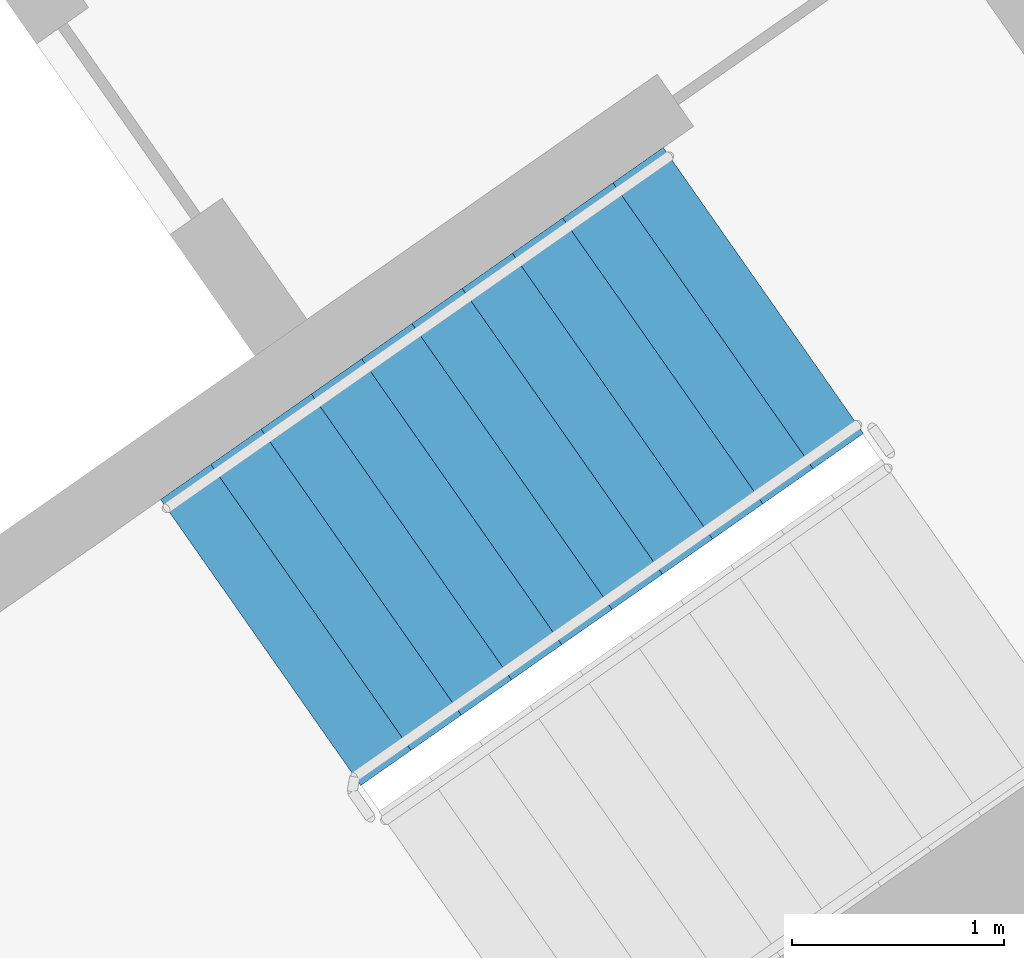
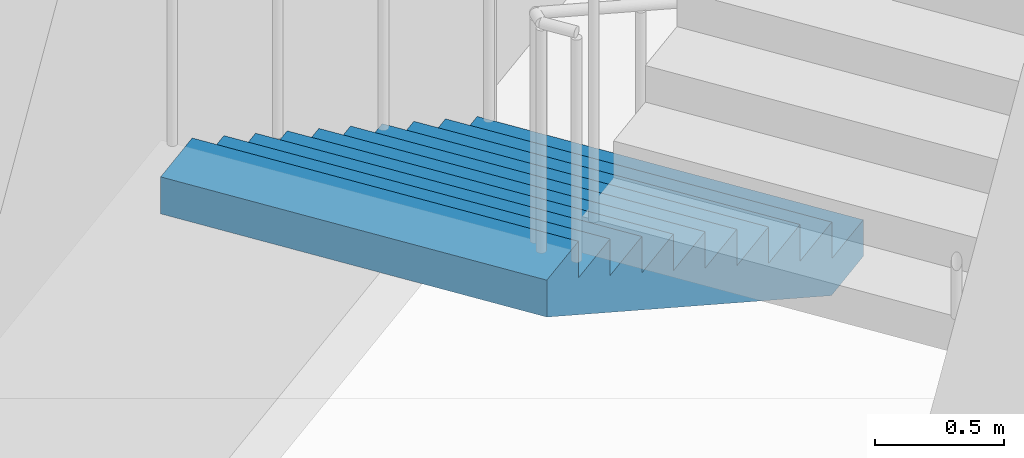
# One storey, part 17 of 33: 1 stair flight, 1 element without a shape of its own.
"""IFC4 building model written with IfcOpenShell, lengths in metres."""

from ifc_helpers import new_model, si_unit, direction, frame, origin, place, context, subcontext, project, spatial, faceted_brep, material, type_object, element, aggregate, save


model = new_model("IFC4")

# Units and contexts
model_context = context("Model", 3, precision=1e-05, world=origin(), true_north=direction((0.0, 1.0)))
body_context = subcontext(model_context, "Body", "Model", "MODEL_VIEW")
ifc_project = project(units=[si_unit("LENGTHUNIT", "METRE"), si_unit("AREAUNIT", "SQUARE_METRE"), si_unit("VOLUMEUNIT", "CUBIC_METRE"), si_unit("PLANEANGLEUNIT", "RADIAN"), si_unit("MASSUNIT", "GRAM", prefix="KILO")], contexts=[model_context])

# Site, building, storey
site_placement = place(None, origin())
site = spatial("IfcSite", under=ifc_project, at=site_placement, CompositionType="ELEMENT")
building_placement = place(site_placement, origin())
building = spatial("IfcBuilding", under=site, at=building_placement, Name="Qamariyya Broadcast Tower", CompositionType="ELEMENT")
storey_placement = place(building_placement, frame((0.0, 0.0, 94.89990234375)))
storey = spatial("IfcBuildingStorey", under=building, at=storey_placement, Name="L20", CompositionType="ELEMENT", Elevation=94.89990234375)

# Stair, stair flight
ifc_material = material(Name="Concrete C50/60", Category="concrete")
stair_type = type_object("IfcStairType", Name="Exit stair 22 risers of 173 mm", PredefinedType="HALF_TURN_STAIR", material=ifc_material)
stair_placement = place(storey_placement, origin())
stair = element("IfcStair", 1, at=stair_placement, inside=storey, type_object=stair_type, Name="L20 Stair E1", PredefinedType="HALF_TURN_STAIR")
stair_flight_type = type_object("IfcStairFlightType", Name="Exit stair flight 11 risers of 173 mm", PredefinedType="STRAIGHT", material=ifc_material)
stair_flight_placement = place(storey_placement, frame((46.036376953125, -55.508056640625, 0.0), z_axis=(0.0, 0.0, 1.0), x_axis=(-0.819152044289, -0.573576436351, 0.0)))
stair_flight = element("IfcStairFlight", 2, at=stair_flight_placement, type_object=stair_flight_type, Name="ST-E1 flight 1", NumberOfRisers=11, NumberOfTreads=10, PredefinedType="STRAIGHT", RiserHeight=0.172727273, TreadLength=0.29, context=body_context, shape_type="Brep", body=[
    faceted_brep([(0.0, 0.824951171875, 0.0), (0.0, 0.824951171875, 0.172607421875), (0.2900390625, 0.824951171875, 0.172607421875), (0.2900390625, 0.824951171875, 0.345458984375), (0.580078125, 0.824951171875, 0.345458984375), (0.580078125, 0.824951171875, 0.51806640625), (0.8701171875, 0.824951171875, 0.51806640625), (0.8701171875, 0.824951171875, 0.69091796875), (1.159912109375, 0.824951171875, 0.69091796875), (1.159912109375, 0.824951171875, 0.863525390625), (1.449951171875, 0.824951171875, 0.863525390625), (1.449951171875, 0.824951171875, 1.036376953125), (1.739990234375, 0.824951171875, 1.036376953125), (1.739990234375, 0.824951171875, 1.208984375), (2.030029296875, 0.824951171875, 1.208984375), (2.030029296875, 0.824951171875, 1.3818359375), (2.320068359375, 0.824951171875, 1.3818359375), (2.320068359375, 0.824951171875, 1.554443359375), (2.610107421875, 0.824951171875, 1.554443359375), (2.610107421875, 0.824951171875, 1.727294921875), (2.89990234375, 0.824951171875, 1.727294921875), (2.89990234375, 0.824951171875, 1.552734375), (0.29296875, 0.824951171875, 0.0), (0.29296875, -0.824951171875, 0.0), (2.89990234375, -0.824951171875, 1.552734375), (2.89990234375, -0.824951171875, 1.727294921875), (2.610107421875, -0.824951171875, 1.727294921875), (2.610107421875, -0.824951171875, 1.554443359375), (2.320068359375, -0.824951171875, 1.554443359375), (2.320068359375, -0.824951171875, 1.3818359375), (2.030029296875, -0.824951171875, 1.3818359375), (2.030029296875, -0.824951171875, 1.208984375), (1.739990234375, -0.824951171875, 1.208984375), (1.739990234375, -0.824951171875, 1.036376953125), (1.449951171875, -0.824951171875, 1.036376953125), (1.449951171875, -0.824951171875, 0.863525390625), (1.159912109375, -0.824951171875, 0.863525390625), (1.159912109375, -0.824951171875, 0.69091796875), (0.8701171875, -0.824951171875, 0.69091796875), (0.8701171875, -0.824951171875, 0.51806640625), (0.580078125, -0.824951171875, 0.51806640625), (0.580078125, -0.824951171875, 0.345458984375), (0.2900390625, -0.824951171875, 0.345458984375), (0.2900390625, -0.824951171875, 0.172607421875), (0.0, -0.824951171875, 0.172607421875), (0.0, -0.824951171875, 0.0), (0.0, 0.10009765625, 0.0), (0.0, 0.086669921875, 0.0), (0.0, 0.0732421875, 0.0), (0.0, 0.06005859375, 0.0), (0.0, 0.046630859375, 0.0), (0.0, 0.033447265625, 0.0), (0.0, 0.02001953125, 0.0), (0.0, 0.006591796875, 0.0), (0.0, -0.006591796875, 0.0), (0.0, -0.02001953125, 0.0), (0.0, -0.033447265625, 0.0), (0.0, -0.046630859375, 0.0), (0.0, -0.06005859375, 0.0), (0.0, -0.0732421875, 0.0), (0.0, -0.086669921875, 0.0), (0.0, -0.10009765625, 0.0), (0.0, -0.10009765625, 0.172607421875), (0.0, -0.086669921875, 0.172607421875), (0.0, -0.0732421875, 0.172607421875), (0.0, -0.06005859375, 0.172607421875), (0.0, -0.046630859375, 0.172607421875), (0.0, -0.033447265625, 0.172607421875), (0.0, -0.02001953125, 0.172607421875), (0.0, -0.006591796875, 0.172607421875), (0.0, 0.006591796875, 0.172607421875), (0.0, 0.02001953125, 0.172607421875), (0.0, 0.033447265625, 0.172607421875), (0.0, 0.046630859375, 0.172607421875), (0.0, 0.06005859375, 0.172607421875), (0.0, 0.0732421875, 0.172607421875), (0.0, 0.086669921875, 0.172607421875), (0.0, 0.10009765625, 0.172607421875), (0.2900390625, -0.10009765625, 0.172607421875), (0.2900390625, -0.086669921875, 0.172607421875), (0.2900390625, -0.0732421875, 0.172607421875), (0.2900390625, -0.06005859375, 0.172607421875), (0.2900390625, -0.046630859375, 0.172607421875), (0.2900390625, -0.033447265625, 0.172607421875), (0.2900390625, -0.02001953125, 0.172607421875), (0.2900390625, -0.006591796875, 0.172607421875), (0.2900390625, 0.006591796875, 0.172607421875), (0.2900390625, 0.02001953125, 0.172607421875), (0.2900390625, 0.033447265625, 0.172607421875), (0.2900390625, 0.046630859375, 0.172607421875), (0.2900390625, 0.06005859375, 0.172607421875), (0.2900390625, 0.0732421875, 0.172607421875), (0.2900390625, 0.086669921875, 0.172607421875), (0.2900390625, 0.10009765625, 0.172607421875), (0.2900390625, -0.10009765625, 0.345458984375), (0.2900390625, -0.086669921875, 0.345458984375), (0.2900390625, -0.0732421875, 0.345458984375), (0.2900390625, -0.06005859375, 0.345458984375), (0.2900390625, -0.046630859375, 0.345458984375), (0.2900390625, -0.033447265625, 0.345458984375), (0.2900390625, -0.02001953125, 0.345458984375), (0.2900390625, -0.006591796875, 0.345458984375), (0.2900390625, 0.006591796875, 0.345458984375), (0.2900390625, 0.02001953125, 0.345458984375), (0.2900390625, 0.033447265625, 0.345458984375), (0.2900390625, 0.046630859375, 0.345458984375), (0.2900390625, 0.06005859375, 0.345458984375), (0.2900390625, 0.0732421875, 0.345458984375), (0.2900390625, 0.086669921875, 0.345458984375), (0.2900390625, 0.10009765625, 0.345458984375), (0.580078125, -0.10009765625, 0.345458984375), (0.580078125, -0.086669921875, 0.345458984375), (0.580078125, -0.0732421875, 0.345458984375), (0.580078125, -0.06005859375, 0.345458984375), (0.580078125, -0.046630859375, 0.345458984375), (0.580078125, -0.033447265625, 0.345458984375), (0.580078125, -0.02001953125, 0.345458984375), (0.580078125, -0.006591796875, 0.345458984375), (0.580078125, 0.006591796875, 0.345458984375), (0.580078125, 0.02001953125, 0.345458984375), (0.580078125, 0.033447265625, 0.345458984375), (0.580078125, 0.046630859375, 0.345458984375), (0.580078125, 0.06005859375, 0.345458984375), (0.580078125, 0.0732421875, 0.345458984375), (0.580078125, 0.086669921875, 0.345458984375), (0.580078125, 0.10009765625, 0.345458984375), (0.580078125, -0.10009765625, 0.51806640625), (0.580078125, -0.086669921875, 0.51806640625), (0.580078125, -0.0732421875, 0.51806640625), (0.580078125, -0.06005859375, 0.51806640625), (0.580078125, -0.046630859375, 0.51806640625), (0.580078125, -0.033447265625, 0.51806640625), (0.580078125, -0.02001953125, 0.51806640625), (0.580078125, -0.006591796875, 0.51806640625), (0.580078125, 0.006591796875, 0.51806640625), (0.580078125, 0.02001953125, 0.51806640625), (0.580078125, 0.033447265625, 0.51806640625), (0.580078125, 0.046630859375, 0.51806640625), (0.580078125, 0.06005859375, 0.51806640625), (0.580078125, 0.0732421875, 0.51806640625), (0.580078125, 0.086669921875, 0.51806640625), (0.580078125, 0.10009765625, 0.51806640625), (0.8701171875, -0.10009765625, 0.51806640625), (0.8701171875, -0.086669921875, 0.51806640625), (0.8701171875, -0.0732421875, 0.51806640625), (0.8701171875, -0.06005859375, 0.51806640625), (0.8701171875, -0.046630859375, 0.51806640625), (0.8701171875, -0.033447265625, 0.51806640625), (0.8701171875, -0.02001953125, 0.51806640625), (0.8701171875, -0.006591796875, 0.51806640625), (0.8701171875, 0.006591796875, 0.51806640625), (0.8701171875, 0.02001953125, 0.51806640625), (0.8701171875, 0.033447265625, 0.51806640625), (0.8701171875, 0.046630859375, 0.51806640625), (0.8701171875, 0.06005859375, 0.51806640625), (0.8701171875, 0.0732421875, 0.51806640625), (0.8701171875, 0.086669921875, 0.51806640625), (0.8701171875, 0.10009765625, 0.51806640625), (0.8701171875, -0.10009765625, 0.69091796875), (0.8701171875, -0.086669921875, 0.69091796875), (0.8701171875, -0.0732421875, 0.69091796875), (0.8701171875, -0.06005859375, 0.69091796875), (0.8701171875, -0.046630859375, 0.69091796875), (0.8701171875, -0.033447265625, 0.69091796875), (0.8701171875, -0.02001953125, 0.69091796875), (0.8701171875, -0.006591796875, 0.69091796875), (0.8701171875, 0.006591796875, 0.69091796875), (0.8701171875, 0.02001953125, 0.69091796875), (0.8701171875, 0.033447265625, 0.69091796875), (0.8701171875, 0.046630859375, 0.69091796875), (0.8701171875, 0.06005859375, 0.69091796875), (0.8701171875, 0.0732421875, 0.69091796875), (0.8701171875, 0.086669921875, 0.69091796875), (0.8701171875, 0.10009765625, 0.69091796875), (1.159912109375, -0.10009765625, 0.69091796875), (1.159912109375, -0.086669921875, 0.69091796875), (1.159912109375, -0.0732421875, 0.69091796875), (1.159912109375, -0.06005859375, 0.69091796875), (1.159912109375, -0.046630859375, 0.69091796875), (1.159912109375, -0.033447265625, 0.69091796875), (1.159912109375, -0.02001953125, 0.69091796875), (1.159912109375, -0.006591796875, 0.69091796875), (1.159912109375, 0.006591796875, 0.69091796875), (1.159912109375, 0.02001953125, 0.69091796875), (1.159912109375, 0.033447265625, 0.69091796875), (1.159912109375, 0.046630859375, 0.69091796875), (1.159912109375, 0.06005859375, 0.69091796875), (1.159912109375, 0.0732421875, 0.69091796875), (1.159912109375, 0.086669921875, 0.69091796875), (1.159912109375, 0.10009765625, 0.69091796875), (1.159912109375, -0.10009765625, 0.863525390625), (1.159912109375, -0.086669921875, 0.863525390625), (1.159912109375, -0.0732421875, 0.863525390625), (1.159912109375, -0.06005859375, 0.863525390625), (1.159912109375, -0.046630859375, 0.863525390625), (1.159912109375, -0.033447265625, 0.863525390625), (1.159912109375, -0.02001953125, 0.863525390625), (1.159912109375, -0.006591796875, 0.863525390625), (1.159912109375, 0.006591796875, 0.863525390625), (1.159912109375, 0.02001953125, 0.863525390625), (1.159912109375, 0.033447265625, 0.863525390625), (1.159912109375, 0.046630859375, 0.863525390625), (1.159912109375, 0.06005859375, 0.863525390625), (1.159912109375, 0.0732421875, 0.863525390625), (1.159912109375, 0.086669921875, 0.863525390625), (1.159912109375, 0.10009765625, 0.863525390625), (1.449951171875, -0.10009765625, 0.863525390625), (1.449951171875, -0.086669921875, 0.863525390625), (1.449951171875, -0.0732421875, 0.863525390625), (1.449951171875, -0.06005859375, 0.863525390625), (1.449951171875, -0.046630859375, 0.863525390625), (1.449951171875, -0.033447265625, 0.863525390625), (1.449951171875, -0.02001953125, 0.863525390625), (1.449951171875, -0.006591796875, 0.863525390625), (1.449951171875, 0.006591796875, 0.863525390625), (1.449951171875, 0.02001953125, 0.863525390625), (1.449951171875, 0.033447265625, 0.863525390625), (1.449951171875, 0.046630859375, 0.863525390625), (1.449951171875, 0.06005859375, 0.863525390625), (1.449951171875, 0.0732421875, 0.863525390625), (1.449951171875, 0.086669921875, 0.863525390625), (1.449951171875, 0.10009765625, 0.863525390625), (1.449951171875, -0.10009765625, 1.036376953125), (1.449951171875, -0.086669921875, 1.036376953125), (1.449951171875, -0.0732421875, 1.036376953125), (1.449951171875, -0.06005859375, 1.036376953125), (1.449951171875, -0.046630859375, 1.036376953125), (1.449951171875, -0.033447265625, 1.036376953125), (1.449951171875, -0.02001953125, 1.036376953125), (1.449951171875, -0.006591796875, 1.036376953125), (1.449951171875, 0.006591796875, 1.036376953125), (1.449951171875, 0.02001953125, 1.036376953125), (1.449951171875, 0.033447265625, 1.036376953125), (1.449951171875, 0.046630859375, 1.036376953125), (1.449951171875, 0.06005859375, 1.036376953125), (1.449951171875, 0.0732421875, 1.036376953125), (1.449951171875, 0.086669921875, 1.036376953125), (1.449951171875, 0.10009765625, 1.036376953125), (1.739990234375, -0.10009765625, 1.036376953125), (1.739990234375, -0.086669921875, 1.036376953125), (1.739990234375, -0.0732421875, 1.036376953125), (1.739990234375, -0.06005859375, 1.036376953125), (1.739990234375, -0.046630859375, 1.036376953125), (1.739990234375, -0.033447265625, 1.036376953125), (1.739990234375, -0.02001953125, 1.036376953125), (1.739990234375, -0.006591796875, 1.036376953125), (1.739990234375, 0.006591796875, 1.036376953125), (1.739990234375, 0.02001953125, 1.036376953125), (1.739990234375, 0.033447265625, 1.036376953125), (1.739990234375, 0.046630859375, 1.036376953125), (1.739990234375, 0.06005859375, 1.036376953125), (1.739990234375, 0.0732421875, 1.036376953125), (1.739990234375, 0.086669921875, 1.036376953125), (1.739990234375, 0.10009765625, 1.036376953125), (1.739990234375, -0.10009765625, 1.208984375), (1.739990234375, -0.086669921875, 1.208984375), (1.739990234375, -0.0732421875, 1.208984375), (1.739990234375, -0.06005859375, 1.208984375), (1.739990234375, -0.046630859375, 1.208984375), (1.739990234375, -0.033447265625, 1.208984375), (1.739990234375, -0.02001953125, 1.208984375), (1.739990234375, -0.006591796875, 1.208984375), (1.739990234375, 0.006591796875, 1.208984375), (1.739990234375, 0.02001953125, 1.208984375), (1.739990234375, 0.033447265625, 1.208984375), (1.739990234375, 0.046630859375, 1.208984375), (1.739990234375, 0.06005859375, 1.208984375), (1.739990234375, 0.0732421875, 1.208984375), (1.739990234375, 0.086669921875, 1.208984375), (1.739990234375, 0.10009765625, 1.208984375), (2.030029296875, -0.10009765625, 1.208984375), (2.030029296875, -0.086669921875, 1.208984375), (2.030029296875, -0.0732421875, 1.208984375), (2.030029296875, -0.06005859375, 1.208984375), (2.030029296875, -0.046630859375, 1.208984375), (2.030029296875, -0.033447265625, 1.208984375), (2.030029296875, -0.02001953125, 1.208984375), (2.030029296875, -0.006591796875, 1.208984375), (2.030029296875, 0.006591796875, 1.208984375), (2.030029296875, 0.02001953125, 1.208984375), (2.030029296875, 0.033447265625, 1.208984375), (2.030029296875, 0.046630859375, 1.208984375), (2.030029296875, 0.06005859375, 1.208984375), (2.030029296875, 0.0732421875, 1.208984375), (2.030029296875, 0.086669921875, 1.208984375), (2.030029296875, 0.10009765625, 1.208984375), (2.030029296875, -0.10009765625, 1.3818359375), (2.030029296875, -0.086669921875, 1.3818359375), (2.030029296875, -0.0732421875, 1.3818359375), (2.030029296875, -0.06005859375, 1.3818359375), (2.030029296875, -0.046630859375, 1.3818359375), (2.030029296875, -0.033447265625, 1.3818359375), (2.030029296875, -0.02001953125, 1.3818359375), (2.030029296875, -0.006591796875, 1.3818359375), (2.030029296875, 0.006591796875, 1.3818359375), (2.030029296875, 0.02001953125, 1.3818359375), (2.030029296875, 0.033447265625, 1.3818359375), (2.030029296875, 0.046630859375, 1.3818359375), (2.030029296875, 0.06005859375, 1.3818359375), (2.030029296875, 0.0732421875, 1.3818359375), (2.030029296875, 0.086669921875, 1.3818359375), (2.030029296875, 0.10009765625, 1.3818359375), (2.320068359375, -0.10009765625, 1.3818359375), (2.320068359375, -0.086669921875, 1.3818359375), (2.320068359375, -0.0732421875, 1.3818359375), (2.320068359375, -0.06005859375, 1.3818359375), (2.320068359375, -0.046630859375, 1.3818359375), (2.320068359375, -0.033447265625, 1.3818359375), (2.320068359375, -0.02001953125, 1.3818359375), (2.320068359375, -0.006591796875, 1.3818359375), (2.320068359375, 0.006591796875, 1.3818359375), (2.320068359375, 0.02001953125, 1.3818359375), (2.320068359375, 0.033447265625, 1.3818359375), (2.320068359375, 0.046630859375, 1.3818359375), (2.320068359375, 0.06005859375, 1.3818359375), (2.320068359375, 0.0732421875, 1.3818359375), (2.320068359375, 0.086669921875, 1.3818359375), (2.320068359375, 0.10009765625, 1.3818359375), (2.320068359375, -0.10009765625, 1.554443359375), (2.320068359375, -0.086669921875, 1.554443359375), (2.320068359375, -0.0732421875, 1.554443359375), (2.320068359375, -0.06005859375, 1.554443359375), (2.320068359375, -0.046630859375, 1.554443359375), (2.320068359375, -0.033447265625, 1.554443359375), (2.320068359375, -0.02001953125, 1.554443359375), (2.320068359375, -0.006591796875, 1.554443359375), (2.320068359375, 0.006591796875, 1.554443359375), (2.320068359375, 0.02001953125, 1.554443359375), (2.320068359375, 0.033447265625, 1.554443359375), (2.320068359375, 0.046630859375, 1.554443359375), (2.320068359375, 0.06005859375, 1.554443359375), (2.320068359375, 0.0732421875, 1.554443359375), (2.320068359375, 0.086669921875, 1.554443359375), (2.320068359375, 0.10009765625, 1.554443359375), (2.610107421875, -0.10009765625, 1.554443359375), (2.610107421875, -0.086669921875, 1.554443359375), (2.610107421875, -0.0732421875, 1.554443359375), (2.610107421875, -0.06005859375, 1.554443359375), (2.610107421875, -0.046630859375, 1.554443359375), (2.610107421875, -0.033447265625, 1.554443359375), (2.610107421875, -0.02001953125, 1.554443359375), (2.610107421875, -0.006591796875, 1.554443359375), (2.610107421875, 0.006591796875, 1.554443359375), (2.610107421875, 0.02001953125, 1.554443359375), (2.610107421875, 0.033447265625, 1.554443359375), (2.610107421875, 0.046630859375, 1.554443359375), (2.610107421875, 0.06005859375, 1.554443359375), (2.610107421875, 0.0732421875, 1.554443359375), (2.610107421875, 0.086669921875, 1.554443359375), (2.610107421875, 0.10009765625, 1.554443359375), (2.610107421875, -0.10009765625, 1.727294921875), (2.610107421875, -0.086669921875, 1.727294921875), (2.610107421875, -0.0732421875, 1.727294921875), (2.610107421875, -0.06005859375, 1.727294921875), (2.610107421875, -0.046630859375, 1.727294921875), (2.610107421875, -0.033447265625, 1.727294921875), (2.610107421875, -0.02001953125, 1.727294921875), (2.610107421875, -0.006591796875, 1.727294921875), (2.610107421875, 0.006591796875, 1.727294921875), (2.610107421875, 0.02001953125, 1.727294921875), (2.610107421875, 0.033447265625, 1.727294921875), (2.610107421875, 0.046630859375, 1.727294921875), (2.610107421875, 0.06005859375, 1.727294921875), (2.610107421875, 0.0732421875, 1.727294921875), (2.610107421875, 0.086669921875, 1.727294921875), (2.610107421875, 0.10009765625, 1.727294921875), (2.89990234375, -0.10009765625, 1.727294921875), (2.89990234375, -0.086669921875, 1.727294921875), (2.89990234375, -0.0732421875, 1.727294921875), (2.89990234375, -0.06005859375, 1.727294921875), (2.89990234375, -0.046630859375, 1.727294921875), (2.89990234375, -0.033447265625, 1.727294921875), (2.89990234375, -0.02001953125, 1.727294921875), (2.89990234375, -0.006591796875, 1.727294921875), (2.89990234375, 0.006591796875, 1.727294921875), (2.89990234375, 0.02001953125, 1.727294921875), (2.89990234375, 0.033447265625, 1.727294921875), (2.89990234375, 0.046630859375, 1.727294921875), (2.89990234375, 0.06005859375, 1.727294921875), (2.89990234375, 0.0732421875, 1.727294921875), (2.89990234375, 0.086669921875, 1.727294921875), (2.89990234375, 0.10009765625, 1.727294921875), (2.89990234375, -0.10009765625, 1.552734375), (2.89990234375, -0.086669921875, 1.552734375), (2.89990234375, -0.0732421875, 1.552734375), (2.89990234375, -0.06005859375, 1.552734375), (2.89990234375, -0.046630859375, 1.552734375), (2.89990234375, -0.033447265625, 1.552734375), (2.89990234375, -0.02001953125, 1.552734375), (2.89990234375, -0.006591796875, 1.552734375), (2.89990234375, 0.006591796875, 1.552734375), (2.89990234375, 0.02001953125, 1.552734375), (2.89990234375, 0.033447265625, 1.552734375), (2.89990234375, 0.046630859375, 1.552734375), (2.89990234375, 0.06005859375, 1.552734375), (2.89990234375, 0.0732421875, 1.552734375), (2.89990234375, 0.086669921875, 1.552734375), (2.89990234375, 0.10009765625, 1.552734375), (0.29296875, -0.10009765625, 0.0), (0.29296875, -0.086669921875, 0.0), (0.29296875, -0.0732421875, 0.0), (0.29296875, -0.06005859375, 0.0), (0.29296875, -0.046630859375, 0.0), (0.29296875, -0.033447265625, 0.0), (0.29296875, -0.02001953125, 0.0), (0.29296875, -0.006591796875, 0.0), (0.29296875, 0.006591796875, 0.0), (0.29296875, 0.02001953125, 0.0), (0.29296875, 0.033447265625, 0.0), (0.29296875, 0.046630859375, 0.0), (0.29296875, 0.06005859375, 0.0), (0.29296875, 0.0732421875, 0.0), (0.29296875, 0.086669921875, 0.0), (0.29296875, 0.10009765625, 0.0)], [[[0, 1, 2, 3, 4, 5, 6, 7, 8, 9, 10, 11, 12, 13, 14, 15, 16, 17, 18, 19, 20, 21, 22]], [[23, 24, 25, 26, 27, 28, 29, 30, 31, 32, 33, 34, 35, 36, 37, 38, 39, 40, 41, 42, 43, 44, 45]], [[0, 46, 47, 48, 49, 50, 51, 52, 53, 54, 55, 56, 57, 58, 59, 60, 61, 45, 44, 62, 63, 64, 65, 66, 67, 68, 69, 70, 71, 72, 73, 74, 75, 76, 77, 1]], [[1, 77, 76, 75, 74, 73, 72, 71, 70, 69, 68, 67, 66, 65, 64, 63, 62, 44, 43, 78, 79, 80, 81, 82, 83, 84, 85, 86, 87, 88, 89, 90, 91, 92, 93, 2]], [[2, 93, 92, 91, 90, 89, 88, 87, 86, 85, 84, 83, 82, 81, 80, 79, 78, 43, 42, 94, 95, 96, 97, 98, 99, 100, 101, 102, 103, 104, 105, 106, 107, 108, 109, 3]], [[3, 109, 108, 107, 106, 105, 104, 103, 102, 101, 100, 99, 98, 97, 96, 95, 94, 42, 41, 110, 111, 112, 113, 114, 115, 116, 117, 118, 119, 120, 121, 122, 123, 124, 125, 4]], [[4, 125, 124, 123, 122, 121, 120, 119, 118, 117, 116, 115, 114, 113, 112, 111, 110, 41, 40, 126, 127, 128, 129, 130, 131, 132, 133, 134, 135, 136, 137, 138, 139, 140, 141, 5]], [[5, 141, 140, 139, 138, 137, 136, 135, 134, 133, 132, 131, 130, 129, 128, 127, 126, 40, 39, 142, 143, 144, 145, 146, 147, 148, 149, 150, 151, 152, 153, 154, 155, 156, 157, 6]], [[6, 157, 156, 155, 154, 153, 152, 151, 150, 149, 148, 147, 146, 145, 144, 143, 142, 39, 38, 158, 159, 160, 161, 162, 163, 164, 165, 166, 167, 168, 169, 170, 171, 172, 173, 7]], [[7, 173, 172, 171, 170, 169, 168, 167, 166, 165, 164, 163, 162, 161, 160, 159, 158, 38, 37, 174, 175, 176, 177, 178, 179, 180, 181, 182, 183, 184, 185, 186, 187, 188, 189, 8]], [[8, 189, 188, 187, 186, 185, 184, 183, 182, 181, 180, 179, 178, 177, 176, 175, 174, 37, 36, 190, 191, 192, 193, 194, 195, 196, 197, 198, 199, 200, 201, 202, 203, 204, 205, 9]], [[9, 205, 204, 203, 202, 201, 200, 199, 198, 197, 196, 195, 194, 193, 192, 191, 190, 36, 35, 206, 207, 208, 209, 210, 211, 212, 213, 214, 215, 216, 217, 218, 219, 220, 221, 10]], [[10, 221, 220, 219, 218, 217, 216, 215, 214, 213, 212, 211, 210, 209, 208, 207, 206, 35, 34, 222, 223, 224, 225, 226, 227, 228, 229, 230, 231, 232, 233, 234, 235, 236, 237, 11]], [[11, 237, 236, 235, 234, 233, 232, 231, 230, 229, 228, 227, 226, 225, 224, 223, 222, 34, 33, 238, 239, 240, 241, 242, 243, 244, 245, 246, 247, 248, 249, 250, 251, 252, 253, 12]], [[12, 253, 252, 251, 250, 249, 248, 247, 246, 245, 244, 243, 242, 241, 240, 239, 238, 33, 32, 254, 255, 256, 257, 258, 259, 260, 261, 262, 263, 264, 265, 266, 267, 268, 269, 13]], [[13, 269, 268, 267, 266, 265, 264, 263, 262, 261, 260, 259, 258, 257, 256, 255, 254, 32, 31, 270, 271, 272, 273, 274, 275, 276, 277, 278, 279, 280, 281, 282, 283, 284, 285, 14]], [[14, 285, 284, 283, 282, 281, 280, 279, 278, 277, 276, 275, 274, 273, 272, 271, 270, 31, 30, 286, 287, 288, 289, 290, 291, 292, 293, 294, 295, 296, 297, 298, 299, 300, 301, 15]], [[15, 301, 300, 299, 298, 297, 296, 295, 294, 293, 292, 291, 290, 289, 288, 287, 286, 30, 29, 302, 303, 304, 305, 306, 307, 308, 309, 310, 311, 312, 313, 314, 315, 316, 317, 16]], [[16, 317, 316, 315, 314, 313, 312, 311, 310, 309, 308, 307, 306, 305, 304, 303, 302, 29, 28, 318, 319, 320, 321, 322, 323, 324, 325, 326, 327, 328, 329, 330, 331, 332, 333, 17]], [[17, 333, 332, 331, 330, 329, 328, 327, 326, 325, 324, 323, 322, 321, 320, 319, 318, 28, 27, 334, 335, 336, 337, 338, 339, 340, 341, 342, 343, 344, 345, 346, 347, 348, 349, 18]], [[18, 349, 348, 347, 346, 345, 344, 343, 342, 341, 340, 339, 338, 337, 336, 335, 334, 27, 26, 350, 351, 352, 353, 354, 355, 356, 357, 358, 359, 360, 361, 362, 363, 364, 365, 19]], [[19, 365, 364, 363, 362, 361, 360, 359, 358, 357, 356, 355, 354, 353, 352, 351, 350, 26, 25, 366, 367, 368, 369, 370, 371, 372, 373, 374, 375, 376, 377, 378, 379, 380, 381, 20]], [[20, 381, 380, 379, 378, 377, 376, 375, 374, 373, 372, 371, 370, 369, 368, 367, 366, 25, 24, 382, 383, 384, 385, 386, 387, 388, 389, 390, 391, 392, 393, 394, 395, 396, 397, 21]], [[21, 397, 396, 395, 394, 393, 392, 391, 390, 389, 388, 387, 386, 385, 384, 383, 382, 24, 23, 398, 399, 400, 401, 402, 403, 404, 405, 406, 407, 408, 409, 410, 411, 412, 413, 22]], [[22, 413, 412, 411, 410, 409, 408, 407, 406, 405, 404, 403, 402, 401, 400, 399, 398, 23, 45, 61, 60, 59, 58, 57, 56, 55, 54, 53, 52, 51, 50, 49, 48, 47, 46, 0]]]),
])
aggregate(stair, [stair_flight])

save(model, "model.ifc")
